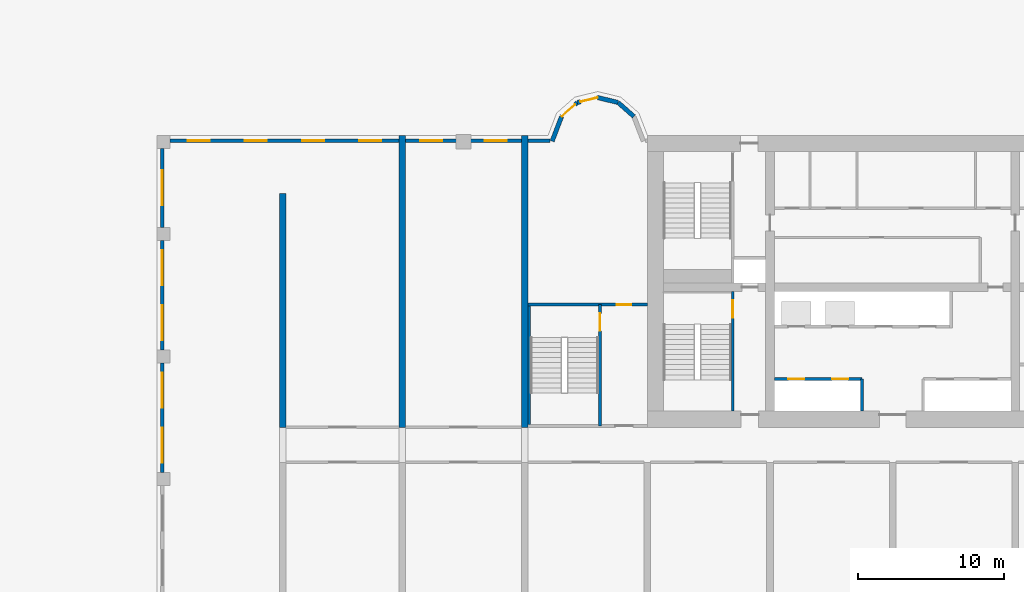
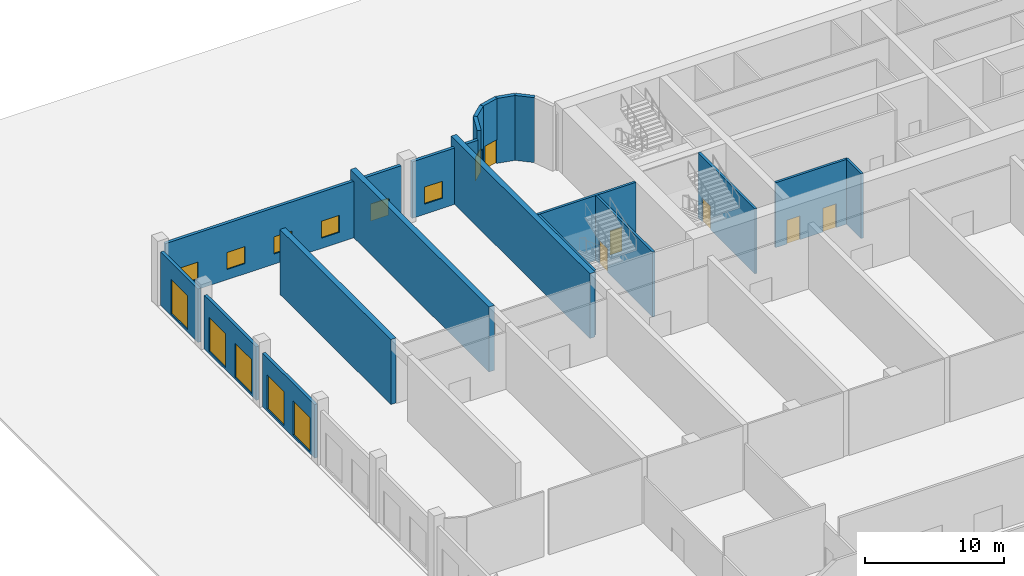
# One storey, part 11 of 20: 21 walls, 11 windows, 7 doors, 18 openings.
"""IFC4 building model written with IfcOpenShell, lengths in metres."""

from ifc_helpers import new_model, si_unit, direction, frame, frame_2d, origin, place, context, subcontext, project, spatial, rectangle, extrude, source, transform, mapped, material, layer, layer_set, type_object, element, fill, save


model = new_model("IFC4")

# Units and contexts
model_context = context("Model", 3, precision=1e-05, world=origin(), true_north=direction((0.0, 1.0)))
body_context = subcontext(model_context, "Body", "Model", "MODEL_VIEW")
ifc_project = project(units=[si_unit("LENGTHUNIT", "METRE"), si_unit("AREAUNIT", "SQUARE_METRE"), si_unit("VOLUMEUNIT", "CUBIC_METRE"), si_unit("PLANEANGLEUNIT", "RADIAN"), si_unit("MASSUNIT", "GRAM", prefix="KILO")], contexts=[model_context])

# Site, building, storey
site_placement = place(None, origin())
site = spatial("IfcSite", under=ifc_project, at=site_placement, CompositionType="ELEMENT")
building_placement = place(site_placement, origin())
building = spatial("IfcBuilding", under=site, at=building_placement, Name="Vanashikhar Sky Hotel", CompositionType="ELEMENT")
storey_placement = place(building_placement, origin())
storey = spatial("IfcBuildingStorey", under=building, at=storey_placement, Name="L00", CompositionType="ELEMENT", Elevation=0.0)

# Walls
ifc_material_1 = material(Name="Concrete M80", Category="concrete")
ifc_layer_1 = layer(ifc_material_1, 0.449951171875)
ifc_layer_set_1 = layer_set([ifc_layer_1], Name="RC shear wall 450 Concrete M80")
wall_type_1 = type_object("IfcWallType", Name="RC shear wall 450 Concrete M80", PredefinedType="SHEAR", material=ifc_layer_set_1)
shared_shape_1 = source(origin(), body_context, "Body", "SweptSolid", [
    extrude(rectangle(XDim=16.0, YDim=0.449951171875, at=frame_2d((8.0, 0.0))), origin(), (0.0, 0.0, 1.0), 5.719970703125),
])
wall_1_placement = place(storey_placement, frame((0.22509765625, 22.0, 0.0), z_axis=(0.0, 0.0, 1.0), x_axis=(0.0, 1.0, 0.0)))
element("IfcWall", 1, at=wall_1_placement, inside=storey, type_object=wall_type_1, Name="CW-L00-XW01-2", PredefinedType="SHEAR", context=body_context, shape_type="MappedRepresentation", body=[
    mapped(shared_shape_1, transform((0.0, 0.0, 0.0), scale=1.0)),
])
shared_shape_2 = source(origin(), body_context, "Body", "SweptSolid", [
    extrude(rectangle(XDim=20.0, YDim=0.449951171875, at=frame_2d((10.0, 0.0))), origin(), (0.0, 0.0, 1.0), 5.719970703125),
])
for number, where, z_axis, x_axis, name in (
    (2, (8.39990234375, 22.0, 0.0), (0.0, 0.0, 1.0), (0.0, 1.0, 0.0), "CW-L00-XW02-2"),
    (3, (16.800048828125, 22.0, 0.0), (0.0, 0.0, 1.0), (0.0, 1.0, 0.0), "CW-L00-XW03-2"),
):
    element("IfcWall", number, at=place(storey_placement, frame(where, z_axis=z_axis, x_axis=x_axis)), inside=storey, type_object=wall_type_1, Name=name, PredefinedType="SHEAR", context=body_context, shape_type="MappedRepresentation", body=[
        mapped(shared_shape_2, transform((0.0, 0.0, 0.0), scale=1.0)),
    ])
ifc_material_2 = material(Name="Concrete M50", Category="concrete")
ifc_layer_2 = layer(ifc_material_2, 0.300048828125)
ifc_layer_set_2 = layer_set([ifc_layer_2], Name="Lobe wall 300")
wall_type_2 = type_object("IfcWallType", Name="Lobe wall 300", PredefinedType="SOLIDWALL", material=ifc_layer_set_2)
shared_shape_3 = source(origin(), body_context, "Body", "SweptSolid", [
    extrude(rectangle(XDim=1.81201171875, YDim=0.300048828125, at=frame_2d((0.906005859375, 0.0))), origin(), (0.0, 0.0, 1.0), 5.719970703125),
])
wall_2_placement = place(storey_placement, frame((19.323486328125, 43.2919921875, 0.0), z_axis=(0.0, 0.0, 1.0), x_axis=(-0.357877270961, -0.93376863244, 0.0)))
element("IfcWall", 4, at=wall_2_placement, inside=storey, type_object=wall_type_2, Name="Lobe wall", PredefinedType="SOLIDWALL", context=body_context, shape_type="MappedRepresentation", body=[
    mapped(shared_shape_3, transform((0.0, 0.0, 0.0), scale=1.0)),
])

# Wall, opening, door
shared_shape_4 = source(origin(), body_context, "Body", "SweptSolid", [
    extrude(rectangle(XDim=1.43994140625, YDim=0.300048828125, at=frame_2d((0.719970703125, 0.0))), origin(), (0.0, 0.0, 1.0), 5.719970703125),
])
wall_3_placement = place(storey_placement, frame((20.40283203125, 44.2451171875, 0.0), z_axis=(0.0, 0.0, 1.0), x_axis=(-0.74957555648, -0.661918790432, 0.0)))
wall_3 = element("IfcWall", 5, at=wall_3_placement, inside=storey, type_object=wall_type_2, Name="Lobe wall", PredefinedType="SOLIDWALL", context=body_context, shape_type="MappedRepresentation", body=[
    mapped(shared_shape_4, transform((0.0, 0.0, 0.0), scale=1.0)),
])
shared_shape_5 = source(origin(), body_context, "Body", "SweptSolid", [
    extrude(rectangle(XDim=1.199951171875, YDim=2.10009765625, at=frame_2d((0.60009765625, 1.050048828125))), frame((0.0, 0.16015625, 0.0), z_axis=(0.0, -1.0, 0.0), x_axis=(1.0, 0.0, 0.0)), (0.0, 0.0, 1.0), 0.320068359375),
])
opening_1_placement = place(wall_3_placement, frame((0.219970703125, 0.0, 0.0)))
opening_1 = element("IfcOpeningElement", 6, at=opening_1_placement, cuts=wall_3, Name="Opening D-09", PredefinedType="OPENING", context=body_context, shape_type="MappedRepresentation", body=[
    mapped(shared_shape_5, transform((0.0, 0.0, 0.0), scale=1.0)),
])
ifc_material_3 = material(Name="Steel door", Category="steel")
door_type_1 = type_object("IfcDoorType", Name="Exit door 1200", OperationType="NOTDEFINED", PredefinedType="DOOR", material=ifc_material_3)
shared_shape_6 = source(origin(), body_context, "Body", "SweptSolid", [
    extrude(rectangle(XDim=1.199951171875, YDim=2.10009765625, at=frame_2d((0.60009765625, 1.050048828125))), frame((0.0, 0.02490234375, 0.0), z_axis=(0.0, -1.0, 0.0), x_axis=(1.0, 0.0, 0.0)), (0.0, 0.0, 1.0), 0.050048828125),
])
door_1_placement = place(opening_1_placement, origin())
door_1 = element("IfcDoor", 7, at=door_1_placement, inside=storey, type_object=door_type_1, Name="D-L00-EXW2", OperationType="SINGLE_SWING_LEFT", OverallHeight=2.10009765625, OverallWidth=1.199951171875, PredefinedType="DOOR", context=body_context, shape_type="MappedRepresentation", body=[
    mapped(shared_shape_6, transform((0.0, 0.0, 0.0), scale=1.0)),
])
fill(opening_1, door_1)

shared_shape_7 = source(origin(), body_context, "Body", "SweptSolid", [
    extrude(rectangle(XDim=1.438720703125, YDim=0.300048828125, at=frame_2d((0.71923828125, 0.0))), origin(), (0.0, 0.0, 1.0), 5.719970703125),
])
wall_4_placement = place(storey_placement, frame((21.800048828125, 44.588134765625, 0.0), z_axis=(0.0, 0.0, 1.0), x_axis=(-0.971161932466, -0.238420848351, 0.0)))
wall_4 = element("IfcWall", 8, at=wall_4_placement, inside=storey, type_object=wall_type_2, Name="Lobe wall", PredefinedType="SOLIDWALL", context=body_context, shape_type="MappedRepresentation", body=[
    mapped(shared_shape_7, transform((0.0, 0.0, 0.0), scale=1.0)),
])
opening_2_placement = place(wall_4_placement, frame((0.02001953125, 0.0, 0.0)))
opening_2 = element("IfcOpeningElement", 9, at=opening_2_placement, cuts=wall_4, Name="Opening D-09", PredefinedType="OPENING", context=body_context, shape_type="MappedRepresentation", body=[
    mapped(shared_shape_5, transform((0.0, 0.0, 0.0), scale=1.0)),
])
door_2_placement = place(opening_2_placement, origin())
door_2 = element("IfcDoor", 10, at=door_2_placement, inside=storey, type_object=door_type_1, Name="D-L00-EXW1", OperationType="SINGLE_SWING_RIGHT", OverallHeight=2.10009765625, OverallWidth=1.199951171875, PredefinedType="DOOR", context=body_context, shape_type="MappedRepresentation", body=[
    mapped(shared_shape_6, transform((0.0, 0.0, 0.0), scale=1.0)),
])
fill(opening_2, door_2)

# Walls
shared_shape_8 = source(origin(), body_context, "Body", "SweptSolid", [
    extrude(rectangle(XDim=1.440185546875, YDim=0.300048828125, at=frame_2d((0.72021484375, 0.0))), origin(), (0.0, 0.0, 1.0), 5.719970703125),
])
wall_5_placement = place(storey_placement, frame((24.276611328125, 43.2919921875, 0.0), z_axis=(0.0, 0.0, 1.0), x_axis=(-0.749649827867, 0.661834673902, 0.0)))
element("IfcWall", 11, at=wall_5_placement, inside=storey, type_object=wall_type_2, Name="Lobe wall", PredefinedType="SOLIDWALL", context=body_context, shape_type="MappedRepresentation", body=[
    mapped(shared_shape_8, transform((0.0, 0.0, 0.0), scale=1.0)),
])
shared_shape_9 = source(origin(), body_context, "Body", "SweptSolid", [
    extrude(rectangle(XDim=1.4384765625, YDim=0.300048828125, at=frame_2d((0.71923828125, 0.0))), origin(), (0.0, 0.0, 1.0), 5.719970703125),
])
wall_6_placement = place(storey_placement, frame((23.197021484375, 44.2451171875, 0.0), z_axis=(0.0, 0.0, 1.0), x_axis=(-0.971152283879, 0.238460146601, 0.0)))
element("IfcWall", 12, at=wall_6_placement, inside=storey, type_object=wall_type_2, Name="Lobe wall", PredefinedType="SOLIDWALL", context=body_context, shape_type="MappedRepresentation", body=[
    mapped(shared_shape_9, transform((0.0, 0.0, 0.0), scale=1.0)),
])
ifc_layer_3 = layer(ifc_material_2, 0.25)
ifc_layer_set_3 = layer_set([ifc_layer_3], Name="Rear and end board-marked wall 250")
wall_type_3 = type_object("IfcWallType", Name="Rear and end board-marked wall 250", PredefinedType="SOLIDWALL", material=ifc_layer_set_3)
shared_shape_10 = source(origin(), body_context, "Body", "SweptSolid", [
    extrude(rectangle(XDim=1.512939453125, YDim=0.25, at=frame_2d((0.75634765625, 0.0))), origin(), (0.0, 0.0, 1.0), 4.969970703125),
])
wall_7_placement = place(storey_placement, frame((18.537841796875, 41.625, 0.0), z_axis=(0.0, 0.0, 1.0), x_axis=(-1.0, 0.0, 0.0)))
element("IfcWall", 13, at=wall_7_placement, inside=storey, type_object=wall_type_3, Name="Podium external wall", PredefinedType="SOLIDWALL", context=body_context, shape_type="MappedRepresentation", body=[
    mapped(shared_shape_10, transform((0.0, 0.0, 0.0), scale=1.0)),
])

# Wall, opening, window
shared_shape_11 = source(origin(), body_context, "Body", "SweptSolid", [
    extrude(rectangle(XDim=3.52490234375, YDim=0.25, at=frame_2d((1.762451171875, 0.0))), origin(), (0.0, 0.0, 1.0), 4.969970703125),
])
wall_8_placement = place(storey_placement, frame((16.574951171875, 41.625, 0.0), z_axis=(0.0, 0.0, 1.0), x_axis=(-1.0, 0.0, 0.0)))
wall_8 = element("IfcWall", 14, at=wall_8_placement, inside=storey, type_object=wall_type_3, Name="Podium external wall", PredefinedType="SOLIDWALL", context=body_context, shape_type="MappedRepresentation", body=[
    mapped(shared_shape_11, transform((0.0, 0.0, 0.0), scale=1.0)),
])
shared_shape_12 = source(origin(), body_context, "Body", "SweptSolid", [
    extrude(rectangle(XDim=1.5, YDim=1.5, at=frame_2d((0.75, 0.75))), frame((0.0, 0.135009765625, 0.0), z_axis=(0.0, -1.0, 0.0), x_axis=(1.0, 0.0, 0.0)), (0.0, 0.0, 1.0), 0.27001953125),
])
opening_3_placement = place(wall_8_placement, frame((1.012451171875, 0.0, 0.89990234375)))
opening_3 = element("IfcOpeningElement", 15, at=opening_3_placement, cuts=wall_8, Name="Opening WN-1", PredefinedType="OPENING", context=body_context, shape_type="MappedRepresentation", body=[
    mapped(shared_shape_12, transform((0.0, 0.0, 0.0), scale=1.0)),
])
ifc_material_4 = material(Name="Glass", Category="glass")
window_type_1 = type_object("IfcWindowType", Name="Window 1500 x 1500", PartitioningType="SINGLE_PANEL", PredefinedType="WINDOW", material=ifc_material_4)
shared_shape_13 = source(origin(), body_context, "Body", "SweptSolid", [
    extrude(rectangle(XDim=1.5, YDim=1.5, at=frame_2d((0.75, 0.75))), frame((0.0, 0.030029296875, 0.0), z_axis=(0.0, -1.0, 0.0), x_axis=(1.0, 0.0, 0.0)), (0.0, 0.0, 1.0), 0.06005859375),
])
window_1_placement = place(opening_3_placement, origin())
window_1 = element("IfcWindow", 16, at=window_1_placement, inside=storey, type_object=window_type_1, Name="Window WN-1", OverallHeight=1.5, OverallWidth=1.5, PartitioningType="SINGLE_PANEL", PredefinedType="WINDOW", context=body_context, shape_type="MappedRepresentation", body=[
    mapped(shared_shape_13, transform((0.0, 0.0, 0.0), scale=1.0)),
])
fill(opening_3, window_1)

wall_9_placement = place(storey_placement, frame((12.14990234375, 41.625, 0.0), z_axis=(0.0, 0.0, 1.0), x_axis=(-1.0, 0.0, 0.0)))
wall_9 = element("IfcWall", 17, at=wall_9_placement, inside=storey, type_object=wall_type_3, Name="Podium external wall", PredefinedType="SOLIDWALL", context=body_context, shape_type="MappedRepresentation", body=[
    mapped(shared_shape_11, transform((0.0, 0.0, 0.0), scale=1.0)),
])
opening_4_placement = place(wall_9_placement, frame((1.012451171875, 0.0, 0.89990234375)))
opening_4 = element("IfcOpeningElement", 18, at=opening_4_placement, cuts=wall_9, Name="Opening WN-1", PredefinedType="OPENING", context=body_context, shape_type="MappedRepresentation", body=[
    mapped(shared_shape_12, transform((0.0, 0.0, 0.0), scale=1.0)),
])
window_2_placement = place(opening_4_placement, origin())
window_2 = element("IfcWindow", 19, at=window_2_placement, inside=storey, type_object=window_type_1, Name="Window WN-1", OverallHeight=1.5, OverallWidth=1.5, PartitioningType="SINGLE_PANEL", PredefinedType="WINDOW", context=body_context, shape_type="MappedRepresentation", body=[
    mapped(shared_shape_13, transform((0.0, 0.0, 0.0), scale=1.0)),
])
fill(opening_4, window_2)

# Wall, openings, windows
shared_shape_14 = source(origin(), body_context, "Body", "SweptSolid", [
    extrude(rectangle(XDim=15.675048828125, YDim=0.25, at=frame_2d((7.83740234375, 0.0))), origin(), (0.0, 0.0, 1.0), 4.969970703125),
])
wall_10_placement = place(storey_placement, frame((8.175048828125, 41.625, 0.0), z_axis=(0.0, 0.0, 1.0), x_axis=(-1.0, 0.0, 0.0)))
wall_10 = element("IfcWall", 20, at=wall_10_placement, inside=storey, type_object=wall_type_3, Name="Podium external wall", PredefinedType="SOLIDWALL", context=body_context, shape_type="MappedRepresentation", body=[
    mapped(shared_shape_14, transform((0.0, 0.0, 0.0), scale=1.0)),
])
opening_5_placement = place(wall_10_placement, frame((1.20947265625, 0.0, 0.89990234375)))
opening_5 = element("IfcOpeningElement", 21, at=opening_5_placement, cuts=wall_10, Name="Opening WN-1", PredefinedType="OPENING", context=body_context, shape_type="MappedRepresentation", body=[
    mapped(shared_shape_12, transform((0.0, 0.0, 0.0), scale=1.0)),
])
opening_6_placement = place(wall_10_placement, frame((5.128173828125, 0.0, 0.89990234375)))
opening_6 = element("IfcOpeningElement", 22, at=opening_6_placement, cuts=wall_10, Name="Opening WN-1", PredefinedType="OPENING", context=body_context, shape_type="MappedRepresentation", body=[
    mapped(shared_shape_12, transform((0.0, 0.0, 0.0), scale=1.0)),
])
opening_7_placement = place(wall_10_placement, frame((9.046875, 0.0, 0.89990234375)))
opening_7 = element("IfcOpeningElement", 23, at=opening_7_placement, cuts=wall_10, Name="Opening WN-1", PredefinedType="OPENING", context=body_context, shape_type="MappedRepresentation", body=[
    mapped(shared_shape_12, transform((0.0, 0.0, 0.0), scale=1.0)),
])
opening_8_placement = place(wall_10_placement, frame((12.965576171875, 0.0, 0.89990234375)))
opening_8 = element("IfcOpeningElement", 24, at=opening_8_placement, cuts=wall_10, Name="Opening WN-1", PredefinedType="OPENING", context=body_context, shape_type="MappedRepresentation", body=[
    mapped(shared_shape_12, transform((0.0, 0.0, 0.0), scale=1.0)),
])
window_3_placement = place(opening_5_placement, origin())
window_3 = element("IfcWindow", 25, at=window_3_placement, inside=storey, type_object=window_type_1, Name="Window WN-1", OverallHeight=1.5, OverallWidth=1.5, PartitioningType="SINGLE_PANEL", PredefinedType="WINDOW", context=body_context, shape_type="MappedRepresentation", body=[
    mapped(shared_shape_13, transform((0.0, 0.0, 0.0), scale=1.0)),
])
fill(opening_5, window_3)
window_4_placement = place(opening_6_placement, origin())
window_4 = element("IfcWindow", 26, at=window_4_placement, inside=storey, type_object=window_type_1, Name="Window WN-1", OverallHeight=1.5, OverallWidth=1.5, PartitioningType="SINGLE_PANEL", PredefinedType="WINDOW", context=body_context, shape_type="MappedRepresentation", body=[
    mapped(shared_shape_13, transform((0.0, 0.0, 0.0), scale=1.0)),
])
fill(opening_6, window_4)
window_5_placement = place(opening_7_placement, origin())
window_5 = element("IfcWindow", 27, at=window_5_placement, inside=storey, type_object=window_type_1, Name="Window WN-1", OverallHeight=1.5, OverallWidth=1.5, PartitioningType="SINGLE_PANEL", PredefinedType="WINDOW", context=body_context, shape_type="MappedRepresentation", body=[
    mapped(shared_shape_13, transform((0.0, 0.0, 0.0), scale=1.0)),
])
fill(opening_7, window_5)
window_6_placement = place(opening_8_placement, origin())
window_6 = element("IfcWindow", 28, at=window_6_placement, inside=storey, type_object=window_type_1, Name="Window WN-1", OverallHeight=1.5, OverallWidth=1.5, PartitioningType="SINGLE_PANEL", PredefinedType="WINDOW", context=body_context, shape_type="MappedRepresentation", body=[
    mapped(shared_shape_13, transform((0.0, 0.0, 0.0), scale=1.0)),
])
fill(opening_8, window_6)

# Wall, opening, window
shared_shape_15 = source(origin(), body_context, "Body", "SweptSolid", [
    extrude(rectangle(XDim=5.400146484375, YDim=0.25, at=frame_2d((2.7001953125, 0.0))), origin(), (0.0, 0.0, 1.0), 4.719970703125),
])
wall_11_placement = place(storey_placement, frame((-8.02490234375, 41.10009765625, 0.0), z_axis=(0.0, 0.0, 1.0), x_axis=(0.0, -1.0, 0.0)))
wall_11 = element("IfcWall", 29, at=wall_11_placement, inside=storey, type_object=wall_type_3, Name="Podium external wall", PredefinedType="SOLIDWALL", context=body_context, shape_type="MappedRepresentation", body=[
    mapped(shared_shape_15, transform((0.0, 0.0, 0.0), scale=1.0)),
])
shared_shape_16 = source(origin(), body_context, "Body", "SweptSolid", [
    extrude(rectangle(XDim=2.39990234375, YDim=3.0, at=frame_2d((1.199951171875, 1.5))), frame((0.0, 0.135009765625, 0.0), z_axis=(0.0, -1.0, 0.0), x_axis=(1.0, 0.0, 0.0)), (0.0, 0.0, 1.0), 0.27001953125),
])
opening_9_placement = place(wall_11_placement, frame((1.5, 0.0, 0.199951171875)))
opening_9 = element("IfcOpeningElement", 30, at=opening_9_placement, cuts=wall_11, Name="Opening WN-5", PredefinedType="OPENING", context=body_context, shape_type="MappedRepresentation", body=[
    mapped(shared_shape_16, transform((0.0, 0.0, 0.0), scale=1.0)),
])
window_type_2 = type_object("IfcWindowType", Name="Shopfront window 2400 x 3000", PartitioningType="SINGLE_PANEL", PredefinedType="WINDOW", material=ifc_material_4)
shared_shape_17 = source(origin(), body_context, "Body", "SweptSolid", [
    extrude(rectangle(XDim=2.39990234375, YDim=3.0, at=frame_2d((1.199951171875, 1.5))), frame((0.0, 0.030029296875, 0.0), z_axis=(0.0, -1.0, 0.0), x_axis=(1.0, 0.0, 0.0)), (0.0, 0.0, 1.0), 0.06005859375),
])
window_7_placement = place(opening_9_placement, origin())
window_7 = element("IfcWindow", 31, at=window_7_placement, inside=storey, type_object=window_type_2, Name="Window WN-5", OverallHeight=3.0, OverallWidth=2.39990234375, PartitioningType="SINGLE_PANEL", PredefinedType="WINDOW", context=body_context, shape_type="MappedRepresentation", body=[
    mapped(shared_shape_17, transform((0.0, 0.0, 0.0), scale=1.0)),
])
fill(opening_9, window_7)

# Wall, openings, windows
shared_shape_18 = source(origin(), body_context, "Body", "SweptSolid", [
    extrude(rectangle(XDim=7.5, YDim=0.25, at=frame_2d((3.75, 0.0))), origin(), (0.0, 0.0, 1.0), 4.719970703125),
])
wall_12_placement = place(storey_placement, frame((-8.02490234375, 34.800048828125, 0.0), z_axis=(0.0, 0.0, 1.0), x_axis=(0.0, -1.0, 0.0)))
wall_12 = element("IfcWall", 32, at=wall_12_placement, inside=storey, type_object=wall_type_3, Name="Podium external wall", PredefinedType="SOLIDWALL", context=body_context, shape_type="MappedRepresentation", body=[
    mapped(shared_shape_18, transform((0.0, 0.0, 0.0), scale=1.0)),
])
opening_10_placement = place(wall_12_placement, frame((0.675048828125, 0.0, 0.199951171875)))
opening_10 = element("IfcOpeningElement", 33, at=opening_10_placement, cuts=wall_12, Name="Opening WN-5", PredefinedType="OPENING", context=body_context, shape_type="MappedRepresentation", body=[
    mapped(shared_shape_16, transform((0.0, 0.0, 0.0), scale=1.0)),
])
opening_11_placement = place(wall_12_placement, frame((4.425048828125, 0.0, 0.199951171875)))
opening_11 = element("IfcOpeningElement", 34, at=opening_11_placement, cuts=wall_12, Name="Opening WN-5", PredefinedType="OPENING", context=body_context, shape_type="MappedRepresentation", body=[
    mapped(shared_shape_16, transform((0.0, 0.0, 0.0), scale=1.0)),
])
window_8_placement = place(opening_10_placement, origin())
window_8 = element("IfcWindow", 35, at=window_8_placement, inside=storey, type_object=window_type_2, Name="Window WN-5", OverallHeight=3.0, OverallWidth=2.39990234375, PartitioningType="SINGLE_PANEL", PredefinedType="WINDOW", context=body_context, shape_type="MappedRepresentation", body=[
    mapped(shared_shape_17, transform((0.0, 0.0, 0.0), scale=1.0)),
])
fill(opening_10, window_8)
window_9_placement = place(opening_11_placement, origin())
window_9 = element("IfcWindow", 36, at=window_9_placement, inside=storey, type_object=window_type_2, Name="Window WN-5", OverallHeight=3.0, OverallWidth=2.39990234375, PartitioningType="SINGLE_PANEL", PredefinedType="WINDOW", context=body_context, shape_type="MappedRepresentation", body=[
    mapped(shared_shape_17, transform((0.0, 0.0, 0.0), scale=1.0)),
])
fill(opening_11, window_9)

wall_13_placement = place(storey_placement, frame((-8.02490234375, 26.39990234375, 0.0), z_axis=(0.0, 0.0, 1.0), x_axis=(0.0, -1.0, 0.0)))
wall_13 = element("IfcWall", 37, at=wall_13_placement, inside=storey, type_object=wall_type_3, Name="Podium external wall", PredefinedType="SOLIDWALL", context=body_context, shape_type="MappedRepresentation", body=[
    mapped(shared_shape_18, transform((0.0, 0.0, 0.0), scale=1.0)),
])
opening_12_placement = place(wall_13_placement, frame((0.675048828125, 0.0, 0.199951171875)))
opening_12 = element("IfcOpeningElement", 38, at=opening_12_placement, cuts=wall_13, Name="Opening WN-5", PredefinedType="OPENING", context=body_context, shape_type="MappedRepresentation", body=[
    mapped(shared_shape_16, transform((0.0, 0.0, 0.0), scale=1.0)),
])
opening_13_placement = place(wall_13_placement, frame((4.425048828125, 0.0, 0.199951171875)))
opening_13 = element("IfcOpeningElement", 39, at=opening_13_placement, cuts=wall_13, Name="Opening WN-5", PredefinedType="OPENING", context=body_context, shape_type="MappedRepresentation", body=[
    mapped(shared_shape_16, transform((0.0, 0.0, 0.0), scale=1.0)),
])
window_10_placement = place(opening_12_placement, origin())
window_10 = element("IfcWindow", 40, at=window_10_placement, inside=storey, type_object=window_type_2, Name="Window WN-5", OverallHeight=3.0, OverallWidth=2.39990234375, PartitioningType="SINGLE_PANEL", PredefinedType="WINDOW", context=body_context, shape_type="MappedRepresentation", body=[
    mapped(shared_shape_17, transform((0.0, 0.0, 0.0), scale=1.0)),
])
fill(opening_12, window_10)
window_11_placement = place(opening_13_placement, origin())
window_11 = element("IfcWindow", 41, at=window_11_placement, inside=storey, type_object=window_type_2, Name="Window WN-5", OverallHeight=3.0, OverallWidth=2.39990234375, PartitioningType="SINGLE_PANEL", PredefinedType="WINDOW", context=body_context, shape_type="MappedRepresentation", body=[
    mapped(shared_shape_17, transform((0.0, 0.0, 0.0), scale=1.0)),
])
fill(opening_13, window_11)

# Wall, openings, doors
ifc_material_5 = material(Name="Concrete M40", Category="concrete")
ifc_layer_4 = layer(ifc_material_5, 0.199951171875)
ifc_layer_set_4 = layer_set([ifc_layer_4], Name="Shaft wall 200")
wall_type_4 = type_object("IfcWallType", Name="Shaft wall 200", PredefinedType="SOLIDWALL", material=ifc_layer_set_4)
shared_shape_19 = source(origin(), body_context, "Body", "SweptSolid", [
    extrude(rectangle(XDim=6.0, YDim=0.199951171875, at=frame_2d((3.0, 0.0))), origin(), (0.0, 0.0, 1.0), 5.719970703125),
])
wall_14_placement = place(storey_placement, frame((33.89990234375, 25.300048828125, 0.0), z_axis=(0.0, 0.0, 1.0), x_axis=(1.0, 0.0, 0.0)))
wall_14 = element("IfcWall", 42, at=wall_14_placement, inside=storey, type_object=wall_type_4, Name="Shaft wall 200", PredefinedType="SOLIDWALL", context=body_context, shape_type="MappedRepresentation", body=[
    mapped(shared_shape_19, transform((0.0, 0.0, 0.0), scale=1.0)),
])
shared_shape_20 = source(origin(), body_context, "Body", "SweptSolid", [
    extrude(rectangle(XDim=1.10009765625, YDim=2.10009765625, at=frame_2d((0.550048828125, 1.050048828125))), frame((0.0, 0.10986328125, 0.0), z_axis=(0.0, -1.0, 0.0), x_axis=(1.0, 0.0, 0.0)), (0.0, 0.0, 1.0), 0.219970703125),
])
opening_14_placement = place(wall_14_placement, frame((0.949951171875, 0.0, 0.0)))
opening_14 = element("IfcOpeningElement", 43, at=opening_14_placement, cuts=wall_14, Name="Opening LD", PredefinedType="OPENING", context=body_context, shape_type="MappedRepresentation", body=[
    mapped(shared_shape_20, transform((0.0, 0.0, 0.0), scale=1.0)),
])
opening_15_placement = place(wall_14_placement, frame((3.949951171875, 0.0, 0.0)))
opening_15 = element("IfcOpeningElement", 44, at=opening_15_placement, cuts=wall_14, Name="Opening LD", PredefinedType="OPENING", context=body_context, shape_type="MappedRepresentation", body=[
    mapped(shared_shape_20, transform((0.0, 0.0, 0.0), scale=1.0)),
])
ifc_material_6 = material(Name="Stainless steel", Category="steel")
door_type_2 = type_object("IfcDoorType", Name="Lift landing door 1100", OperationType="NOTDEFINED", PredefinedType="DOOR", material=ifc_material_6)
shared_shape_21 = source(origin(), body_context, "Body", "SweptSolid", [
    extrude(rectangle(XDim=1.10009765625, YDim=2.10009765625, at=frame_2d((0.550048828125, 1.050048828125))), frame((0.0, 0.02490234375, 0.0), z_axis=(0.0, -1.0, 0.0), x_axis=(1.0, 0.0, 0.0)), (0.0, 0.0, 1.0), 0.050048828125),
])
door_3_placement = place(opening_14_placement, origin())
door_3 = element("IfcDoor", 45, at=door_3_placement, inside=storey, type_object=door_type_2, Name="Lift landing door 1100", OperationType="SLIDING_TO_LEFT", OverallHeight=2.10009765625, OverallWidth=1.10009765625, PredefinedType="DOOR", context=body_context, shape_type="MappedRepresentation", body=[
    mapped(shared_shape_21, transform((0.0, 0.0, 0.0), scale=1.0)),
])
fill(opening_14, door_3)
door_4_placement = place(opening_15_placement, origin())
door_4 = element("IfcDoor", 46, at=door_4_placement, inside=storey, type_object=door_type_2, Name="Lift landing door 1100", OperationType="SLIDING_TO_RIGHT", OverallHeight=2.10009765625, OverallWidth=1.10009765625, PredefinedType="DOOR", context=body_context, shape_type="MappedRepresentation", body=[
    mapped(shared_shape_21, transform((0.0, 0.0, 0.0), scale=1.0)),
])
fill(opening_15, door_4)

# Wall
shared_shape_22 = source(origin(), body_context, "Body", "SweptSolid", [
    extrude(rectangle(XDim=2.199951171875, YDim=0.199951171875, at=frame_2d((1.10009765625, 0.0))), origin(), (0.0, 0.0, 1.0), 5.719970703125),
])
wall_15_placement = place(storey_placement, frame((39.89990234375, 23.10009765625, 0.0), z_axis=(0.0, 0.0, 1.0), x_axis=(0.0, 1.0, 0.0)))
element("IfcWall", 47, at=wall_15_placement, inside=storey, type_object=wall_type_4, Name="Shaft wall 200", PredefinedType="SOLIDWALL", context=body_context, shape_type="MappedRepresentation", body=[
    mapped(shared_shape_22, transform((0.0, 0.0, 0.0), scale=1.0)),
])

# Wall, opening, door
ifc_layer_5 = layer(ifc_material_2, 0.199951171875)
ifc_layer_set_5 = layer_set([ifc_layer_5], Name="Stair wall 200")
wall_type_5 = type_object("IfcWallType", Name="Stair wall 200", PredefinedType="SOLIDWALL", material=ifc_layer_set_5)
shared_shape_23 = source(origin(), body_context, "Body", "SweptSolid", [
    extrude(rectangle(XDim=8.199951171875, YDim=0.199951171875, at=frame_2d((4.10009765625, 0.0))), origin(), (0.0, 0.0, 1.0), 5.719970703125),
])
wall_16_placement = place(storey_placement, frame((31.050048828125, 23.10009765625, 0.0), z_axis=(0.0, 0.0, 1.0), x_axis=(0.0, 1.0, 0.0)))
wall_16 = element("IfcWall", 48, at=wall_16_placement, inside=storey, type_object=wall_type_5, Name="Stair wall 200", PredefinedType="SOLIDWALL", context=body_context, shape_type="MappedRepresentation", body=[
    mapped(shared_shape_23, transform((0.0, 0.0, 0.0), scale=1.0)),
])
shared_shape_24 = source(origin(), body_context, "Body", "SweptSolid", [
    extrude(rectangle(XDim=1.199951171875, YDim=2.10009765625, at=frame_2d((0.60009765625, 1.050048828125))), frame((0.0, 0.10986328125, 0.0), z_axis=(0.0, -1.0, 0.0), x_axis=(1.0, 0.0, 0.0)), (0.0, 0.0, 1.0), 0.219970703125),
])
opening_16_placement = place(wall_16_placement, frame((6.39990234375, 0.0, 0.0)))
opening_16 = element("IfcOpeningElement", 49, at=opening_16_placement, cuts=wall_16, Name="Opening DC-1", PredefinedType="OPENING", context=body_context, shape_type="MappedRepresentation", body=[
    mapped(shared_shape_24, transform((0.0, 0.0, 0.0), scale=1.0)),
])
ifc_material_7 = material(Name="Steel", Category="steel")
door_type_3 = type_object("IfcDoorType", Name="Stair door 1200 FD120", OperationType="NOTDEFINED", PredefinedType="DOOR", material=ifc_material_7)
door_5_placement = place(opening_16_placement, origin())
door_5 = element("IfcDoor", 50, at=door_5_placement, inside=storey, type_object=door_type_3, Name="Stair door 1200 FD120", OperationType="SINGLE_SWING_RIGHT", OverallHeight=2.10009765625, OverallWidth=1.199951171875, PredefinedType="DOOR", context=body_context, shape_type="MappedRepresentation", body=[
    mapped(shared_shape_6, transform((0.0, 0.0, 0.0), scale=1.0)),
])
fill(opening_16, door_5)

shared_shape_25 = source(origin(), body_context, "Body", "SweptSolid", [
    extrude(rectangle(XDim=8.2998046875, YDim=0.199951171875, at=frame_2d((4.14990234375, 0.0))), origin(), (0.0, 0.0, 1.0), 5.719970703125),
])
wall_17_placement = place(storey_placement, frame((21.949951171875, 22.10009765625, 0.0), z_axis=(0.0, 0.0, 1.0), x_axis=(0.0, 1.0, 0.0)))
wall_17 = element("IfcWall", 51, at=wall_17_placement, inside=storey, type_object=wall_type_5, Name="Stair wall 200", PredefinedType="SOLIDWALL", context=body_context, shape_type="MappedRepresentation", body=[
    mapped(shared_shape_25, transform((0.0, 0.0, 0.0), scale=1.0)),
])
opening_17_placement = place(wall_17_placement, frame((6.5, 0.0, 0.0)))
opening_17 = element("IfcOpeningElement", 52, at=opening_17_placement, cuts=wall_17, Name="Opening DC-1", PredefinedType="OPENING", context=body_context, shape_type="MappedRepresentation", body=[
    mapped(shared_shape_24, transform((0.0, 0.0, 0.0), scale=1.0)),
])
door_6_placement = place(opening_17_placement, origin())
door_6 = element("IfcDoor", 53, at=door_6_placement, inside=storey, type_object=door_type_3, Name="Stair door 1200 FD120", OperationType="SINGLE_SWING_RIGHT", OverallHeight=2.10009765625, OverallWidth=1.199951171875, PredefinedType="DOOR", context=body_context, shape_type="MappedRepresentation", body=[
    mapped(shared_shape_6, transform((0.0, 0.0, 0.0), scale=1.0)),
])
fill(opening_17, door_6)

shared_shape_26 = source(origin(), body_context, "Body", "SweptSolid", [
    extrude(rectangle(XDim=8.175048828125, YDim=0.199951171875, at=frame_2d((4.08740234375, 0.0))), origin(), (0.0, 0.0, 1.0), 5.719970703125),
])
wall_18_placement = place(storey_placement, frame((17.02490234375, 30.39990234375, 0.0), z_axis=(0.0, 0.0, 1.0), x_axis=(1.0, 0.0, 0.0)))
wall_18 = element("IfcWall", 54, at=wall_18_placement, inside=storey, type_object=wall_type_5, Name="Stair wall 200", PredefinedType="SOLIDWALL", context=body_context, shape_type="MappedRepresentation", body=[
    mapped(shared_shape_26, transform((0.0, 0.0, 0.0), scale=1.0)),
])
shared_shape_27 = source(origin(), body_context, "Body", "SweptSolid", [
    extrude(rectangle(XDim=1.0, YDim=2.10009765625, at=frame_2d((0.5, 1.050048828125))), frame((0.0, 0.10986328125, 0.0), z_axis=(0.0, -1.0, 0.0), x_axis=(1.0, 0.0, 0.0)), (0.0, 0.0, 1.0), 0.219970703125),
])
opening_18_placement = place(wall_18_placement, frame((6.074951171875, 0.0, 0.0)))
opening_18 = element("IfcOpeningElement", 55, at=opening_18_placement, cuts=wall_18, Name="Opening DC-6", PredefinedType="OPENING", context=body_context, shape_type="MappedRepresentation", body=[
    mapped(shared_shape_27, transform((0.0, 0.0, 0.0), scale=1.0)),
])
door_type_4 = type_object("IfcDoorType", Name="Pocket door 1000 FD60", OperationType="NOTDEFINED", PredefinedType="DOOR", material=ifc_material_7)
shared_shape_28 = source(origin(), body_context, "Body", "SweptSolid", [
    extrude(rectangle(XDim=1.0, YDim=2.10009765625, at=frame_2d((0.5, 1.050048828125))), frame((0.0, 0.02490234375, 0.0), z_axis=(0.0, -1.0, 0.0), x_axis=(1.0, 0.0, 0.0)), (0.0, 0.0, 1.0), 0.050048828125),
])
door_7_placement = place(opening_18_placement, origin())
door_7 = element("IfcDoor", 56, at=door_7_placement, inside=storey, type_object=door_type_4, Name="Pocket door 1000 FD60", OperationType="SINGLE_SWING_RIGHT", OverallHeight=2.10009765625, OverallWidth=1.0, PredefinedType="DOOR", context=body_context, shape_type="MappedRepresentation", body=[
    mapped(shared_shape_28, transform((0.0, 0.0, 0.0), scale=1.0)),
])
fill(opening_18, door_7)

# Wall
ifc_layer_6 = layer(ifc_material_2, 0.175048828125)
ifc_layer_set_6 = layer_set([ifc_layer_6], Name="Stair infill wall 175")
wall_type_6 = type_object("IfcWallType", Name="Stair infill wall 175", PredefinedType="SOLIDWALL", material=ifc_layer_set_6)
shared_shape_29 = source(origin(), body_context, "Body", "SweptSolid", [
    extrude(rectangle(XDim=8.10009765625, YDim=0.175048828125, at=frame_2d((4.050048828125, 0.0))), origin(), (0.0, 0.0, 1.0), 5.719970703125),
])
wall_19_placement = place(storey_placement, frame((17.112060546875, 22.199951171875, 0.0), z_axis=(0.0, 0.0, 1.0), x_axis=(0.0, 1.0, 0.0)))
element("IfcWall", 57, at=wall_19_placement, inside=storey, type_object=wall_type_6, Name="Stair infill wall 175", PredefinedType="SOLIDWALL", context=body_context, shape_type="MappedRepresentation", body=[
    mapped(shared_shape_29, transform((0.0, 0.0, 0.0), scale=1.0)),
])

save(model, "model.ifc")
